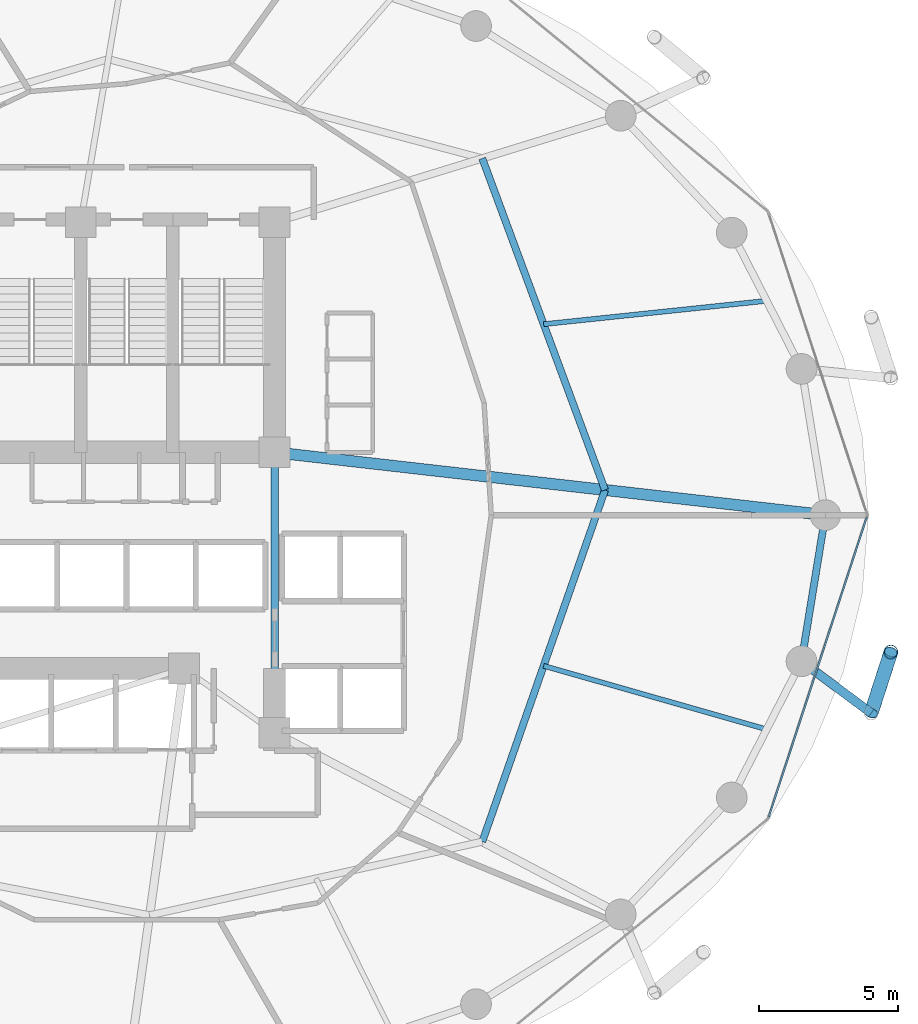
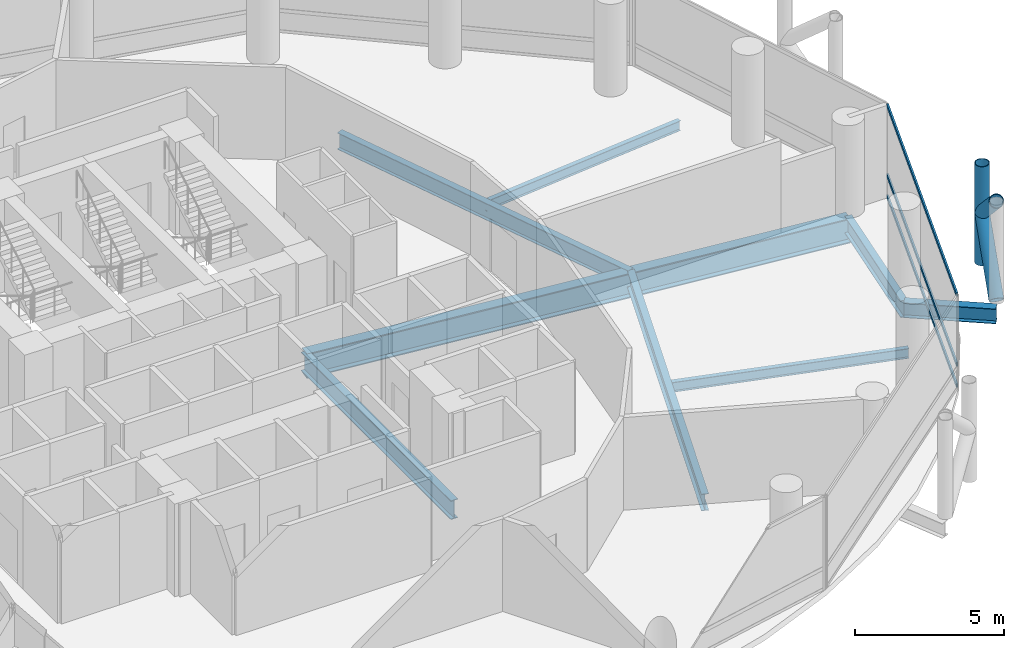
# One storey, part 11 of 24: 8 beams, 6 members, 1 element without a shape of its own.
"""IFC4 building model written with IfcOpenShell, lengths in metres."""

from ifc_helpers import new_model, si_unit, direction, frame, origin, origin_2d, place, context, subcontext, project, spatial, hollow_rectangle, hollow_circle, i_section, extrude, material, layer, layer_set, material_profile, profile_set, type_object, element, aggregate, save


model = new_model("IFC4")

# Units and contexts
model_context = context("Model", 3, precision=1e-05, world=origin(), true_north=direction((0.0, 1.0)))
body_context = subcontext(model_context, "Body", "Model", "MODEL_VIEW")
ifc_project = project(units=[si_unit("LENGTHUNIT", "METRE"), si_unit("AREAUNIT", "SQUARE_METRE"), si_unit("VOLUMEUNIT", "CUBIC_METRE"), si_unit("PLANEANGLEUNIT", "RADIAN"), si_unit("MASSUNIT", "GRAM", prefix="KILO")], contexts=[model_context])

# Site, building, storey
site_placement = place(None, origin())
site = spatial("IfcSite", under=ifc_project, at=site_placement, CompositionType="ELEMENT")
building_placement = place(site_placement, origin())
building = spatial("IfcBuilding", under=site, at=building_placement, Name="Nuhasar Tower", CompositionType="ELEMENT")
storey_placement = place(building_placement, frame((0.0, 0.0, 25.050048828125)))
storey = spatial("IfcBuildingStorey", under=building, at=storey_placement, Name="L05", CompositionType="ELEMENT", Elevation=25.050048828125)

# Beams
ifc_material_1 = material(Name="Steel S355", Category="steel")
ifc_material_profile_1 = material_profile(ifc_material_1, i_section(OverallWidth=0.25390625, OverallDepth=0.68408203125, WebThickness=0.012451171875, FlangeThickness=0.018798828125, at=origin_2d()), Name="W27X94")
ifc_profile_set_1 = profile_set([ifc_material_profile_1], Name="Steel S355")
beam_type_1 = type_object("IfcBeamType", Name="BM-INRING-W27X94", PredefinedType="BEAM", material=ifc_profile_set_1)
beam_1_placement = place(storey_placement, frame((51.748046875, 15.089111328125, -0.60205078125), z_axis=(0.329554049858, 0.944136710558, 0.0), x_axis=(-0.944136710558, 0.329554049858, 0.0)))
element("IfcBeam", 1, at=beam_1_placement, inside=storey, type_object=beam_type_1, Name="L05 Inner Header Beam 03", PredefinedType="BEAM", context=body_context, shape_type="SweptSolid", body=[
    extrude(i_section(OverallWidth=0.25390625, OverallDepth=0.68408203125, WebThickness=0.012451171875, FlangeThickness=0.018798828125, at=origin_2d()), origin(), (0.0, 0.0, 1.0), 13.35693359375),
])
beam_2_placement = place(storey_placement, frame((56.14990234375, 27.699951171875, -0.60205078125), z_axis=(-0.34715757476, 0.937806812881, 0.0), x_axis=(-0.937806812881, -0.34715757476, 0.0)))
element("IfcBeam", 2, at=beam_2_placement, inside=storey, type_object=beam_type_1, Name="L05 Inner Header Beam 04", PredefinedType="BEAM", context=body_context, shape_type="SweptSolid", body=[
    extrude(i_section(OverallWidth=0.25390625, OverallDepth=0.68408203125, WebThickness=0.012451171875, FlangeThickness=0.018798828125, at=origin_2d()), origin(), (0.0, 0.0, 1.0), 12.6796875),
])
ifc_material_profile_2 = material_profile(ifc_material_1, i_section(OverallWidth=0.177978515625, OverallDepth=0.406005859375, WebThickness=0.0078125, FlangeThickness=0.0126953125, at=origin_2d()), Name="W16X40")
ifc_profile_set_2 = profile_set([ifc_material_profile_2], Name="Steel S355")
beam_type_2 = type_object("IfcBeamType", Name="BM-JST-W16X40", PredefinedType="JOIST", material=ifc_profile_set_2)
beam_3_placement = place(storey_placement, frame((53.948974609375, 21.39501953125, -0.463134765625), z_axis=(0.961730884496, -0.273995813484, 0.0), x_axis=(0.273995813484, 0.961730884496, 0.0)))
element("IfcBeam", 3, at=beam_3_placement, inside=storey, type_object=beam_type_2, Name="L05 Secondary Floor Joist 03", PredefinedType="JOIST", context=body_context, shape_type="SweptSolid", body=[
    extrude(i_section(OverallWidth=0.177978515625, OverallDepth=0.406005859375, WebThickness=0.0078125, FlangeThickness=0.0126953125, at=origin_2d()), origin(), (0.0, 0.0, 1.0), 8.314208984375),
])
beam_4_placement = place(storey_placement, frame((53.948974609375, 33.64501953125, -0.463134765625), z_axis=(0.994554594377, 0.104216883485, 0.0), x_axis=(-0.104216883485, 0.994554594377, 0.0)))
element("IfcBeam", 4, at=beam_4_placement, inside=storey, type_object=beam_type_2, Name="L05 Secondary Floor Joist 04", PredefinedType="JOIST", context=body_context, shape_type="SweptSolid", body=[
    extrude(i_section(OverallWidth=0.177978515625, OverallDepth=0.406005859375, WebThickness=0.0078125, FlangeThickness=0.0126953125, at=origin_2d()), origin(), (0.0, 0.0, 1.0), 8.039794921875),
])
ifc_material_profile_3 = material_profile(ifc_material_1, i_section(OverallWidth=0.26611328125, OverallDepth=0.779052734375, WebThickness=0.0166015625, FlangeThickness=0.030029296875, at=origin_2d()), Name="W30X148")
ifc_profile_set_3 = profile_set([ifc_material_profile_3], Name="Steel S355")
beam_type_3 = type_object("IfcBeamType", Name="BM-RAD-W30X148", PredefinedType="BEAM", material=ifc_profile_set_3)
beam_5_placement = place(storey_placement, frame((44.300048828125, 19.0, -0.650146484375), z_axis=(0.0, 1.0, 0.0), x_axis=(-1.0, 0.0, 0.0)))
element("IfcBeam", 5, at=beam_5_placement, inside=storey, type_object=beam_type_3, Name="L05 Core Ring Girder 3", PredefinedType="BEAM", context=body_context, shape_type="SweptSolid", body=[
    extrude(i_section(OverallWidth=0.26611328125, OverallDepth=0.779052734375, WebThickness=0.0166015625, FlangeThickness=0.030029296875, at=origin_2d()), origin(), (0.0, 0.0, 1.0), 10.050048828125),
])
ifc_material_profile_4 = material_profile(ifc_material_1, i_section(OverallWidth=0.256103515625, OverallDepth=0.693115234375, WebThickness=0.014404296875, FlangeThickness=0.023681640625, at=origin_2d()), Name="W27X114")
ifc_profile_set_4 = profile_set([ifc_material_profile_4], Name="Steel S355")
beam_type_4 = type_object("IfcBeamType", Name="BM-RING-W27X114", PredefinedType="SPANDREL", material=ifc_profile_set_4)
beam_6_placement = place(storey_placement, frame((63.196044921875, 21.55908203125, -0.60595703125), z_axis=(0.160826635486, 0.986982671235, 0.0), x_axis=(-0.986982671235, 0.160826635486, 0.0)))
element("IfcBeam", 6, at=beam_6_placement, inside=storey, type_object=beam_type_4, Name="L05 Perimeter Ring Spandrel 24", PredefinedType="SPANDREL", context=body_context, shape_type="SweptSolid", body=[
    extrude(i_section(OverallWidth=0.256103515625, OverallDepth=0.693115234375, WebThickness=0.014404296875, FlangeThickness=0.023681640625, at=origin_2d()), origin(), (0.0, 0.0, 1.0), 5.31005859375),
])
ifc_material_profile_5 = material_profile(ifc_material_1, i_section(OverallWidth=0.323974609375, OverallDepth=0.611083984375, WebThickness=0.0126953125, FlangeThickness=0.01904296875, at=origin_2d()), Name="W24X104")
ifc_profile_set_5 = profile_set([ifc_material_profile_5], Name="Steel S355")
beam_type_5 = type_object("IfcBeamType", Name="BM-TIE-W24X104", PredefinedType="BEAM", material=ifc_profile_set_5)
beam_7_placement = place(storey_placement, frame((63.196044921875, 21.55908203125, -0.56494140625), z_axis=(0.802113478067, -0.597171640572, 0.0), x_axis=(0.597171640572, 0.802113478067, 0.0)))
element("IfcBeam", 7, at=beam_7_placement, inside=storey, type_object=beam_type_5, Name="L05 Exoskeleton Node Tie Beam 12", PredefinedType="BEAM", context=body_context, shape_type="SweptSolid", body=[
    extrude(i_section(OverallWidth=0.323974609375, OverallDepth=0.611083984375, WebThickness=0.0126953125, FlangeThickness=0.01904296875, at=origin_2d()), origin(), (0.0, 0.0, 1.0), 3.111572265625),
])
ifc_material_2 = material(Name="Steel S460", Category="steel")
ifc_material_profile_6 = material_profile(ifc_material_2, i_section(OverallWidth=0.40087890625, OverallDepth=1.010009765625, WebThickness=0.023681640625, FlangeThickness=0.0419921875, at=origin_2d()), Name="W40X297")
ifc_profile_set_6 = profile_set([ifc_material_profile_6], Name="Steel S460")
beam_type_6 = type_object("IfcBeamType", Name="BM-XFER-W40X297", PredefinedType="USERDEFINED", material=ifc_profile_set_6)
beam_8_placement = place(storey_placement, frame((44.300048828125, 29.050048828125, -0.76513671875), z_axis=(0.993573147212, -0.113191877531, 0.0), x_axis=(0.113191877531, 0.993573147212, 0.0)))
element("IfcBeam", 8, at=beam_8_placement, inside=storey, type_object=beam_type_6, Name="L05 Radial Floor Girder 04", ObjectType="GIRDER", PredefinedType="USERDEFINED", context=body_context, shape_type="SweptSolid", body=[
    extrude(i_section(OverallWidth=0.40087890625, OverallDepth=1.010009765625, WebThickness=0.023681640625, FlangeThickness=0.0419921875, at=origin_2d()), origin(), (0.0, 0.0, 1.0), 19.877685546875),
])

# Curtain wall, members
ifc_material_3 = material(Name="Aluminium 6063-T6", Category="aluminium")
ifc_layer = layer(ifc_material_3, 0.199951171875)
ifc_layer_set = layer_set([ifc_layer], Name="Aluminium 6063-T6")
curtain_wall_type = type_object("IfcCurtainWallType", Name="CW-Z1-OFF", PredefinedType="NOTDEFINED", material=ifc_layer_set)
curtain_wall_placement = place(storey_placement, origin())
curtain_wall = element("IfcCurtainWall", 9, at=curtain_wall_placement, inside=storey, type_object=curtain_wall_type, Name="L05 Unitised Curtain Wall 12", PredefinedType="NOTDEFINED")
ifc_material_profile_7 = material_profile(ifc_material_3, hollow_rectangle(XDim=0.06494140625, YDim=0.14990234375, WallThickness=0.00439453125, at=origin_2d()), Name="CWT-2")
ifc_profile_set_7 = profile_set([ifc_material_profile_7], Name="Aluminium 6063-T6")
member_type_1 = type_object("IfcMemberType", Name="CW-TRN-S2", PredefinedType="USERDEFINED", material=ifc_profile_set_7)
member_1_placement = place(storey_placement, frame((62.022216796875, 15.981689453125, 0.032470703125), z_axis=(0.310818687697, 0.950469222741, 0.0), x_axis=(-0.950469222741, 0.310818687697, 0.0)))
member_1 = element("IfcMember", 10, at=member_1_placement, type_object=member_type_1, Name="CW-Z1 transom 1.1", ObjectType="TRANSOM", PredefinedType="USERDEFINED", context=body_context, shape_type="SweptSolid", body=[
    extrude(hollow_rectangle(XDim=0.06494140625, YDim=0.14990234375, WallThickness=0.00439453125, at=origin_2d()), origin(), (0.0, 0.0, 1.0), 11.317138671875),
])
member_2_placement = place(storey_placement, frame((62.022216796875, 15.981689453125, 0.89990234375), z_axis=(0.310818687697, 0.950469222741, 0.0), x_axis=(-0.950469222741, 0.310818687697, 0.0)))
member_2 = element("IfcMember", 11, at=member_2_placement, type_object=member_type_1, Name="CW-Z1 transom 1.2", ObjectType="TRANSOM", PredefinedType="USERDEFINED", context=body_context, shape_type="SweptSolid", body=[
    extrude(hollow_rectangle(XDim=0.06494140625, YDim=0.14990234375, WallThickness=0.00439453125, at=origin_2d()), origin(), (0.0, 0.0, 1.0), 11.317138671875),
])
member_3_placement = place(storey_placement, frame((62.022216796875, 15.981689453125, 3.757568359375), z_axis=(0.310818687697, 0.950469222741, 0.0), x_axis=(-0.950469222741, 0.310818687697, 0.0)))
member_3 = element("IfcMember", 12, at=member_3_placement, type_object=member_type_1, Name="CW-Z1 transom 1.3", ObjectType="TRANSOM", PredefinedType="USERDEFINED", context=body_context, shape_type="SweptSolid", body=[
    extrude(hollow_rectangle(XDim=0.06494140625, YDim=0.14990234375, WallThickness=0.00439453125, at=origin_2d()), origin(), (0.0, 0.0, 1.0), 11.317138671875),
])
aggregate(curtain_wall, [member_1, member_2, member_3])

# Members
ifc_material_profile_8 = material_profile(ifc_material_2, hollow_circle(Radius=0.25390625, WallThickness=0.025390625, at=origin_2d()), Name="HSS508X25.4")
ifc_profile_set_8 = profile_set([ifc_material_profile_8], Name="Steel S460")
member_type_2 = type_object("IfcMemberType", Name="EXO-BRONZE-508", PredefinedType="BRACE", material=ifc_profile_set_8)
member_4_placement = place(storey_placement, frame((66.39990234375, 21.889892578125, 0.0), z_axis=(0.0, 0.0, 1.0), x_axis=(1.0, 0.0, 0.0)))
element("IfcMember", 13, at=member_4_placement, inside=storey, type_object=member_type_2, Name="L05 Exoskeleton Chord Column EC-12B", PredefinedType="BRACE", context=body_context, shape_type="SweptSolid", body=[
    extrude(hollow_circle(Radius=0.25390625, WallThickness=0.025390625, at=origin_2d()), origin(), (0.0, 0.0, 1.0), 4.050048828125),
])
member_5_placement = place(storey_placement, frame((65.69189453125, 19.700927734375, 0.0), z_axis=(0.231011836313, 0.714224870475, 0.660693851854), x_axis=(-0.951468282519, 0.307746823478, 0.0)))
element("IfcMember", 14, at=member_5_placement, inside=storey, type_object=member_type_2, Name="L05 Bronze Diagrid Brace W1-12", PredefinedType="BRACE", context=body_context, shape_type="SweptSolid", body=[
    extrude(hollow_circle(Radius=0.25390625, WallThickness=0.025390625, at=origin_2d()), origin(), (0.0, 0.0, 1.0), 3.064697265625),
])
member_6_placement = place(storey_placement, frame((66.39990234375, 21.889892578125, 2.02490234375), z_axis=(-0.230999678299, -0.714187281251, 0.660738734997), x_axis=(0.951468282519, -0.307746823478, 0.0)))
element("IfcMember", 15, at=member_6_placement, inside=storey, type_object=member_type_2, Name="L05 Bronze Diagrid Brace W2-12", PredefinedType="BRACE", context=body_context, shape_type="SweptSolid", body=[
    extrude(hollow_circle(Radius=0.25390625, WallThickness=0.025390625, at=origin_2d()), origin(), (0.0, 0.0, 1.0), 3.06494140625),
])

save(model, "model.ifc")
